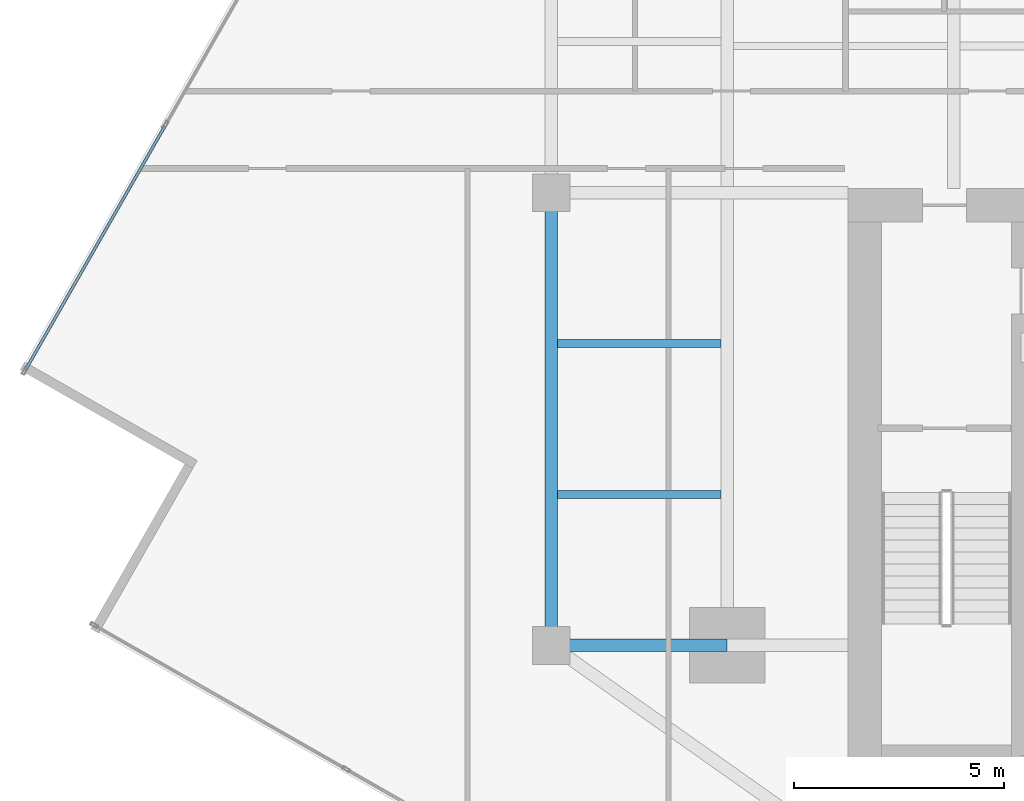
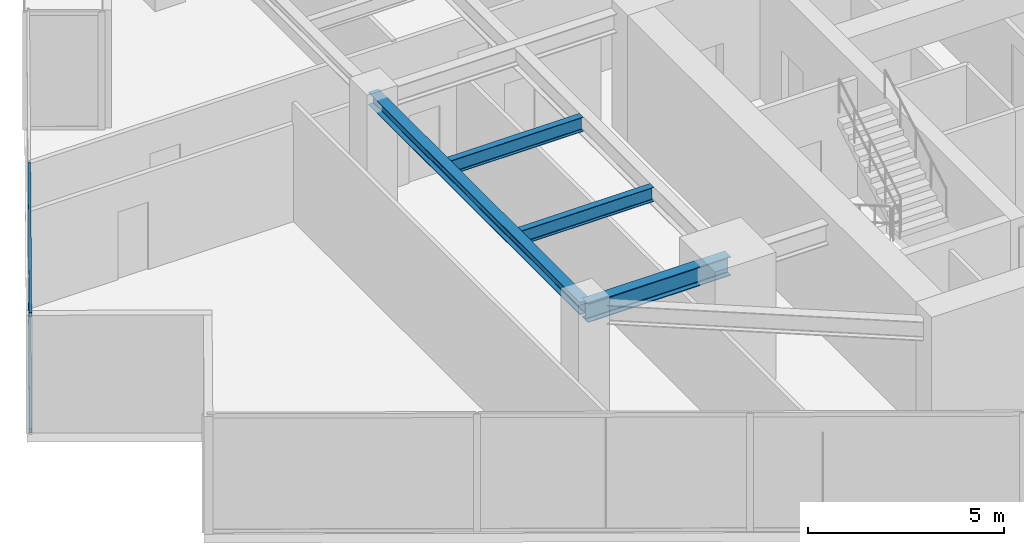
# One storey, part 6 of 24: 4 beams, 2 members, 1 element without a shape of its own.
"""IFC4 building model written with IfcOpenShell, lengths in metres."""

from ifc_helpers import new_model, si_unit, direction, frame, origin, origin_2d, place, context, subcontext, project, spatial, hollow_rectangle, i_section, extrude, source, transform, mapped, material, material_profile, profile_set, type_object, type_shapes, element, aggregate, save


model = new_model("IFC4")

# Units and contexts
model_context = context("Model", 3, precision=1e-05, world=origin(), true_north=direction((0.0, 1.0)))
body_context = subcontext(model_context, "Body", "Model", "MODEL_VIEW")
ifc_project = project(units=[si_unit("LENGTHUNIT", "METRE"), si_unit("AREAUNIT", "SQUARE_METRE"), si_unit("VOLUMEUNIT", "CUBIC_METRE"), si_unit("PLANEANGLEUNIT", "RADIAN"), si_unit("MASSUNIT", "GRAM", prefix="KILO")], contexts=[model_context])

# Site, building, storey
site_placement = place(None, origin())
site = spatial("IfcSite", under=ifc_project, at=site_placement, CompositionType="ELEMENT")
building_placement = place(site_placement, origin())
building = spatial("IfcBuilding", under=site, at=building_placement, Name="Krantzveldt Concourse Tower", CompositionType="ELEMENT")
storey_placement = place(building_placement, frame((0.0, 0.0, 162.0)))
storey = spatial("IfcBuildingStorey", under=building, at=storey_placement, Name="L39", CompositionType="ELEMENT", Elevation=162.0)

# Beams
ifc_material_1 = material(Name="Steel S355JR", Category="steel")
ifc_material_profile_1 = material_profile(ifc_material_1, i_section(OverallWidth=0.300048828125, OverallDepth=0.590087890625, WebThickness=0.012939453125, FlangeThickness=0.02490234375, FilletRadius=0.027099609375, at=origin_2d()), Name="Steel S355JR", Category="steel")
ifc_profile_set_1 = profile_set([ifc_material_profile_1], Name="Steel S355JR - HEA 600")
beam_type_1 = type_object("IfcBeamType", Name="BM-B-HEA600", PredefinedType="BEAM", material=ifc_profile_set_1)
shared_shape_1 = source(origin(), body_context, "Body", "SweptSolid", [
    extrude(i_section(OverallWidth=0.300048828125, OverallDepth=0.590087890625, WebThickness=0.012939453125, FlangeThickness=0.02490234375, FilletRadius=0.027099609375, at=origin_2d()), origin(), (0.0, 0.0, 1.0), 4.199951171875),
])
type_shapes(beam_type_1, [shared_shape_1])
beam_1_placement = place(storey_placement, frame((21.0, 15.89990234375, 3.375), z_axis=(1.0, 0.0, 0.0), x_axis=(0.0, 1.0, 0.0)))
element("IfcBeam", 1, at=beam_1_placement, inside=storey, type_object=beam_type_1, Name="L39 Tower Girder BR-RL1", PredefinedType="BEAM", context=body_context, shape_type="MappedRepresentation", body=[
    mapped(shared_shape_1, transform((0.0, 0.0, 0.0), x_axis=(1.0, 0.0, 0.0), y_axis=(0.0, 1.0, 0.0), z_axis=(0.0, 0.0, 1.0), scale=1.0)),
])
ifc_material_profile_2 = material_profile(ifc_material_1, i_section(OverallWidth=0.300048828125, OverallDepth=0.389892578125, WebThickness=0.010986328125, FlangeThickness=0.01904296875, FilletRadius=0.027099609375, at=origin_2d()), Name="Steel S355JR", Category="steel")
ifc_profile_set_2 = profile_set([ifc_material_profile_2], Name="Steel S355JR - HEA 400")
beam_type_2 = type_object("IfcBeamType", Name="BM-SP-HEA400", PredefinedType="SPANDREL", material=ifc_profile_set_2)
shared_shape_2 = source(origin(), body_context, "Body", "SweptSolid", [
    extrude(i_section(OverallWidth=0.300048828125, OverallDepth=0.389892578125, WebThickness=0.010986328125, FlangeThickness=0.01904296875, FilletRadius=0.027099609375, at=origin_2d()), origin(), (0.0, 0.0, 1.0), 10.800048828125),
])
type_shapes(beam_type_2, [shared_shape_2])
beam_2_placement = place(storey_placement, frame((21.0, 15.89990234375, 3.47509765625), z_axis=(0.0, 1.0, 0.0), x_axis=(-1.0, 0.0, 0.0)))
element("IfcBeam", 2, at=beam_2_placement, inside=storey, type_object=beam_type_2, Name="L39 Tower Girder SP-R01", PredefinedType="SPANDREL", context=body_context, shape_type="MappedRepresentation", body=[
    mapped(shared_shape_2, transform((0.0, 0.0, 0.0), x_axis=(1.0, 0.0, 0.0), y_axis=(0.0, 1.0, 0.0), z_axis=(0.0, 0.0, 1.0), scale=1.0)),
])
ifc_material_profile_3 = material_profile(ifc_material_1, i_section(OverallWidth=0.18994140625, OverallDepth=0.449951171875, WebThickness=0.009521484375, FlangeThickness=0.0146484375, FilletRadius=0.02099609375, at=origin_2d()), Name="Steel S355JR", Category="steel")
ifc_profile_set_3 = profile_set([ifc_material_profile_3], Name="Steel S355JR - IPE 450")
beam_type_3 = type_object("IfcBeamType", Name="BM-J-IPE450", PredefinedType="JOIST", material=ifc_profile_set_3)
shared_shape_3 = source(origin(), body_context, "Body", "SweptSolid", [
    extrude(i_section(OverallWidth=0.18994140625, OverallDepth=0.449951171875, WebThickness=0.009521484375, FlangeThickness=0.0146484375, FilletRadius=0.02099609375, at=origin_2d()), origin(), (0.0, 0.0, 1.0), 3.900146484375),
])
type_shapes(beam_type_3, [shared_shape_3])
for number, where, z_axis, x_axis, name in (
    (3, (21.14990234375, 19.5, 3.445068359375), (1.0, 0.0, 0.0), (0.0, 1.0, 0.0), "L39 Secondary Floor Joist JW-1"),
    (4, (21.14990234375, 23.10009765625, 3.445068359375), (1.0, 0.0, 0.0), (0.0, 1.0, 0.0), "L39 Secondary Floor Joist JW-2"),
):
    element("IfcBeam", number, at=place(storey_placement, frame(where, z_axis=z_axis, x_axis=x_axis)), inside=storey, type_object=beam_type_3, Name=name, PredefinedType="JOIST", context=body_context, shape_type="MappedRepresentation", body=[
        mapped(shared_shape_3, transform((0.0, 0.0, 0.0), x_axis=(1.0, 0.0, 0.0), y_axis=(0.0, 1.0, 0.0), z_axis=(0.0, 0.0, 1.0), scale=1.0)),
    ])

# Curtain wall, members
ifc_material_2 = material(Name="Anodised aluminium 6063-T6", Category="aluminium")
curtain_wall_type = type_object("IfcCurtainWallType", Name="CW3", PredefinedType="USERDEFINED", material=ifc_material_2)
curtain_wall_placement = place(storey_placement, origin())
curtain_wall = element("IfcCurtainWall", 5, at=curtain_wall_placement, inside=storey, type_object=curtain_wall_type, Name="CW-L39-F05", ObjectType="UNITISED CURTAIN WALL", PredefinedType="USERDEFINED")
ifc_material_profile_4 = material_profile(ifc_material_2, hollow_rectangle(XDim=0.070068359375, YDim=0.139892578125, WallThickness=0.0048828125, at=origin_2d()), Name="Anodised aluminium 6063-T6", Category="aluminium")
ifc_profile_set_4 = profile_set([ifc_material_profile_4], Name="Anodised aluminium 6063-T6 - ALU-TRAN 140x70x5")
member_type = type_object("IfcMemberType", Name="CW-TRN-150", PredefinedType="USERDEFINED", material=ifc_profile_set_4)
shared_shape_4 = source(origin(), body_context, "Body", "SweptSolid", [
    extrude(hollow_rectangle(XDim=0.070068359375, YDim=0.139892578125, WallThickness=0.0048828125, at=origin_2d()), origin(), (0.0, 0.0, 1.0), 6.695068359375),
])
type_shapes(member_type, [shared_shape_4])
member_1_placement = place(storey_placement, frame((11.787353515625, 28.289306640625, 0.034912109375), z_axis=(-0.496217476605, -0.868198258413, 0.0), x_axis=(0.868198258413, -0.496217476605, 0.0)))
member_1 = element("IfcMember", 6, at=member_1_placement, type_object=member_type, Name="CW-Z34 transom 2.1", ObjectType="TRANSOM", PredefinedType="USERDEFINED", context=body_context, shape_type="MappedRepresentation", body=[
    mapped(shared_shape_4, transform((0.0, 0.0, 0.0), x_axis=(1.0, 0.0, 0.0), y_axis=(0.0, 1.0, 0.0), z_axis=(0.0, 0.0, 1.0), scale=1.0)),
])
member_2_placement = place(storey_placement, frame((11.787353515625, 28.289306640625, 3.635009765625), z_axis=(-0.496217476605, -0.868198258413, 0.0), x_axis=(0.868198258413, -0.496217476605, 0.0)))
member_2 = element("IfcMember", 7, at=member_2_placement, type_object=member_type, Name="CW-Z34 transom 2.2", ObjectType="TRANSOM", PredefinedType="USERDEFINED", context=body_context, shape_type="MappedRepresentation", body=[
    mapped(shared_shape_4, transform((0.0, 0.0, 0.0), x_axis=(1.0, 0.0, 0.0), y_axis=(0.0, 1.0, 0.0), z_axis=(0.0, 0.0, 1.0), scale=1.0)),
])
aggregate(curtain_wall, [member_1, member_2])

save(model, "model.ifc")
